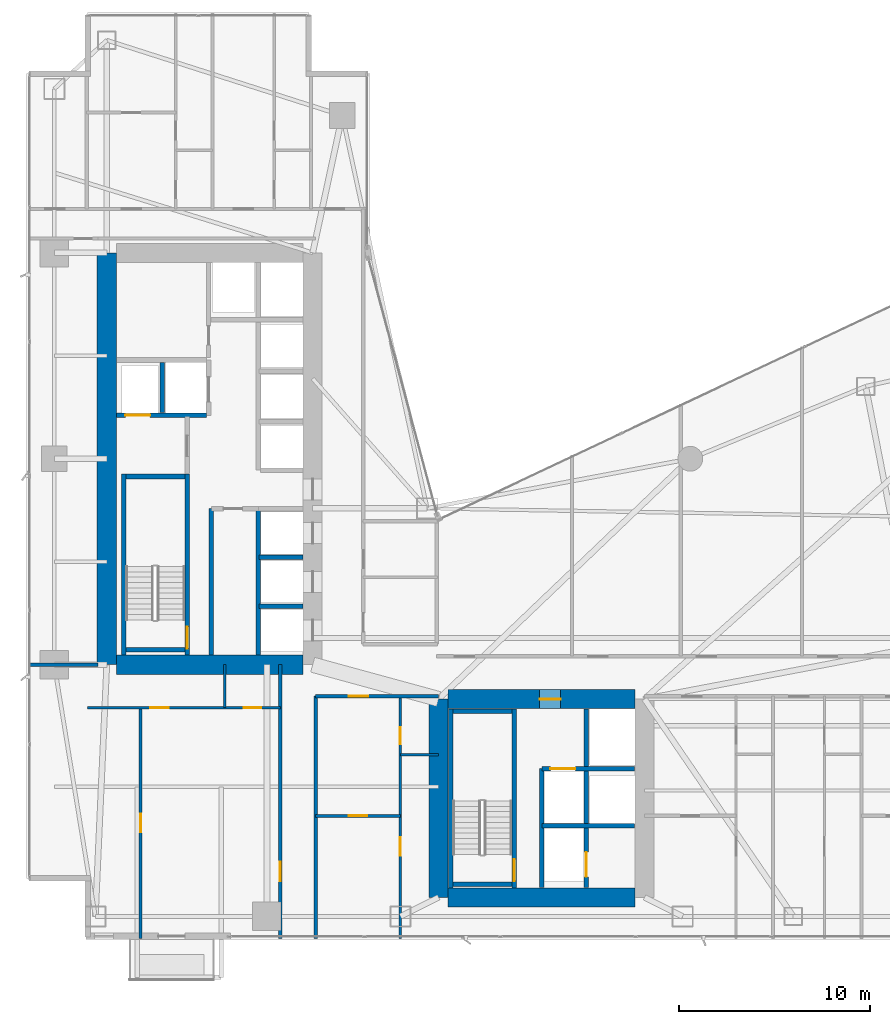
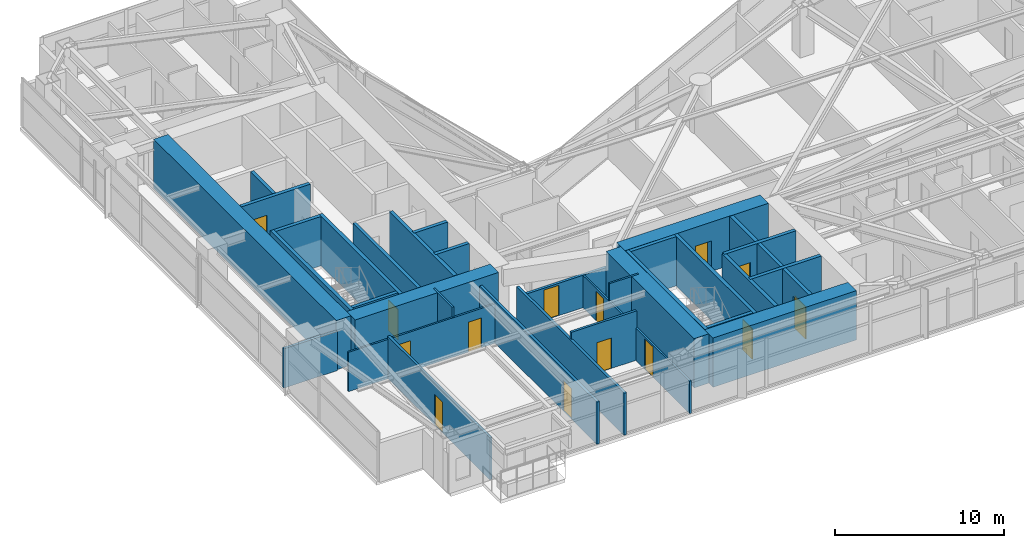
# One storey, part 22 of 30: 33 walls, 14 doors, 14 openings.
"""IFC4 building model written with IfcOpenShell, lengths in metres."""

from ifc_helpers import new_model, si_unit, direction, frame, frame_2d, origin, place, context, subcontext, project, spatial, rectangle, extrude, material, layer, layer_set, type_object, element, fill, save


model = new_model("IFC4")

# Units and contexts
model_context = context("Model", 3, precision=1e-05, world=origin(), true_north=direction((0.0, 1.0)))
body_context = subcontext(model_context, "Body", "Model", "MODEL_VIEW")
ifc_project = project(units=[si_unit("LENGTHUNIT", "METRE"), si_unit("AREAUNIT", "SQUARE_METRE"), si_unit("VOLUMEUNIT", "CUBIC_METRE"), si_unit("PLANEANGLEUNIT", "RADIAN"), si_unit("MASSUNIT", "GRAM", prefix="KILO")], contexts=[model_context])

# Site, building, storey
site_placement = place(None, origin())
site = spatial("IfcSite", under=ifc_project, at=site_placement, CompositionType="ELEMENT")
building_placement = place(site_placement, origin())
building = spatial("IfcBuilding", under=site, at=building_placement, Name="Calvorn Quay Hotel", CompositionType="ELEMENT")
storey_placement = place(building_placement, frame((0.0, 0.0, 54.60009765625)))
storey = spatial("IfcBuildingStorey", under=building, at=storey_placement, Name="L12", CompositionType="ELEMENT", Elevation=54.60009765625)

# Walls
ifc_material_1 = material(Name="Concrete C60", Category="concrete")
ifc_layer_1 = layer(ifc_material_1, 1.0)
ifc_layer_set_1 = layer_set([ifc_layer_1], Name="WL-CORE-1000")
wall_type_1 = type_object("IfcWallType", Name="WL-CORE-1000", PredefinedType="SHEAR", material=ifc_layer_set_1)
wall_1_placement = place(storey_placement, frame((4.199951171875, 16.800048828125, 0.0), z_axis=(0.0, 0.0, 1.0), x_axis=(0.0, 1.0, 0.0)))
element("IfcWall", 1, at=wall_1_placement, inside=storey, type_object=wall_type_1, Name="West Core Shear Wall W (L12)", PredefinedType="SHEAR", context=body_context, shape_type="SweptSolid", body=[
    extrude(rectangle(XDim=21.599853515625, YDim=1.0, at=frame_2d((10.7998046875, 0.0))), origin(), (0.0, 0.0, 1.0), 3.559814453125),
])
wall_2_placement = place(storey_placement, frame((4.699951171875, 16.800048828125, 0.0), z_axis=(0.0, 0.0, 1.0), x_axis=(1.0, 0.0, 0.0)))
element("IfcWall", 2, at=wall_2_placement, inside=storey, type_object=wall_type_1, Name="West Core Shear Wall S (L12)", PredefinedType="SHEAR", context=body_context, shape_type="SweptSolid", body=[
    extrude(rectangle(XDim=9.800048828125, YDim=1.0, at=frame_2d((4.89990234375, 0.0))), origin(), (0.0, 0.0, 1.0), 3.559814453125),
])
wall_3_placement = place(storey_placement, frame((21.60009765625, 4.60009765625, 0.0), z_axis=(0.0, 0.0, 1.0), x_axis=(0.0, 1.0, 0.0)))
element("IfcWall", 3, at=wall_3_placement, inside=storey, type_object=wall_type_1, Name="East Core Shear Wall W (L12)", PredefinedType="SHEAR", context=body_context, shape_type="SweptSolid", body=[
    extrude(rectangle(XDim=10.39990234375, YDim=1.0, at=frame_2d((5.199951171875, 0.0))), origin(), (0.0, 0.0, 1.0), 3.559814453125),
])

# Wall, opening, door
wall_4_placement = place(storey_placement, frame((22.10009765625, 15.0, 0.0), z_axis=(0.0, 0.0, 1.0), x_axis=(1.0, 0.0, 0.0)))
wall_4 = element("IfcWall", 4, at=wall_4_placement, inside=storey, type_object=wall_type_1, Name="East Core Shear Wall N (L12)", PredefinedType="SHEAR", context=body_context, shape_type="SweptSolid", body=[
    extrude(rectangle(XDim=9.7998046875, YDim=1.0, at=frame_2d((4.89990234375, 0.0))), origin(), (0.0, 0.0, 1.0), 3.559814453125),
])
opening_1_placement = place(wall_4_placement, frame((4.800048828125, 0.0, 0.0)))
opening_1 = element("IfcOpeningElement", 5, at=opening_1_placement, cuts=wall_4, Name="Opening D-L12-FLE", PredefinedType="OPENING", context=body_context, shape_type="SweptSolid", body=[
    extrude(rectangle(XDim=1.10009765625, YDim=2.199951171875, at=frame_2d((0.550048828125, 1.10009765625))), frame((0.0, 0.510009765625, 0.0), z_axis=(0.0, -1.0, 0.0), x_axis=(1.0, 0.0, 0.0)), (0.0, 0.0, 1.0), 1.02001953125),
])
ifc_material_2 = material(Name="Smoke-Sealed Steel Class A Fire Door", Category="steel")
door_type_1 = type_object("IfcDoorType", Name="DR-FFLOBBY-1100", OperationType="NOTDEFINED", PredefinedType="DOOR", material=ifc_material_2)
door_1_placement = place(opening_1_placement, origin())
door_1 = element("IfcDoor", 6, at=door_1_placement, inside=storey, type_object=door_type_1, Name="East Firefighting Lobby Fire Door (L12)", OperationType="SINGLE_SWING_RIGHT", OverallHeight=2.199951171875, OverallWidth=1.10009765625, PredefinedType="DOOR", context=body_context, shape_type="SweptSolid", body=[
    extrude(rectangle(XDim=1.10009765625, YDim=2.199951171875, at=frame_2d((0.550048828125, 1.10009765625))), frame((0.0, 0.02490234375, 0.0), z_axis=(0.0, -1.0, 0.0), x_axis=(1.0, 0.0, 0.0)), (0.0, 0.0, 1.0), 0.050048828125),
])
fill(opening_1, door_1)

# Walls
wall_5_placement = place(storey_placement, frame((22.10009765625, 4.60009765625, 0.0), z_axis=(0.0, 0.0, 1.0), x_axis=(1.0, 0.0, 0.0)))
element("IfcWall", 7, at=wall_5_placement, inside=storey, type_object=wall_type_1, Name="East Core Shear Wall S (L12)", PredefinedType="SHEAR", context=body_context, shape_type="SweptSolid", body=[
    extrude(rectangle(XDim=9.7998046875, YDim=1.0, at=frame_2d((4.89990234375, 0.0))), origin(), (0.0, 0.0, 1.0), 3.559814453125),
])
ifc_material_3 = material(Name="Acoustic Fireboard Steel-Stud Partition", Category="steel")
ifc_layer_2 = layer(ifc_material_3, 0.179931640625)
ifc_layer_set_2 = layer_set([ifc_layer_2], Name="WL-CORR-FIRE-180")
wall_type_2 = type_object("IfcWallType", Name="WL-CORR-FIRE-180", PredefinedType="PARTITIONING", material=ifc_layer_set_2)
wall_6_placement = place(storey_placement, frame((0.080078125, 16.800048828125, 0.0), z_axis=(0.0, 0.0, 1.0), x_axis=(1.0, 0.0, 0.0)))
element("IfcWall", 8, at=wall_6_placement, inside=storey, type_object=wall_type_2, Name="Partition Wall L12-WL-WBAY-S-WALL", PredefinedType="PARTITIONING", context=body_context, shape_type="SweptSolid", body=[
    extrude(rectangle(XDim=3.64990234375, YDim=0.179931640625, at=frame_2d((1.824951171875, 0.0))), origin(), (0.0, 0.0, 1.0), 2.83984375),
])

# Wall, opening, door
wall_7_placement = place(storey_placement, frame((13.300048828125, 2.43994140625, 0.0), z_axis=(0.0, 0.0, 1.0), x_axis=(0.0, 1.0, 0.0)))
wall_7 = element("IfcWall", 9, at=wall_7_placement, inside=storey, type_object=wall_type_2, Name="Partition Wall L12-WL-CORR-SW-LEG-W", PredefinedType="PARTITIONING", context=body_context, shape_type="SweptSolid", body=[
    extrude(rectangle(XDim=14.360107421875, YDim=0.179931640625, at=frame_2d((7.18017578125, 0.0))), origin(), (0.0, 0.0, 1.0), 3.039794921875),
])
opening_2_placement = place(wall_7_placement, frame((3.010009765625, 0.0, 0.0)))
opening_2 = element("IfcOpeningElement", 10, at=opening_2_placement, cuts=wall_7, Name="Opening D-L12-U01", PredefinedType="OPENING", context=body_context, shape_type="SweptSolid", body=[
    extrude(rectangle(XDim=1.02001953125, YDim=2.199951171875, at=frame_2d((0.510009765625, 1.10009765625))), frame((0.0, 0.099853515625, 0.0), z_axis=(0.0, -1.0, 0.0), x_axis=(1.0, 0.0, 0.0)), (0.0, 0.0, 1.0), 0.199951171875),
])
ifc_material_4 = material(Name="Solid-Core Walnut Veneer Hotel Fire Door")
door_type_2 = type_object("IfcDoorType", Name="DR-GUEST-ENTRY-1020", OperationType="NOTDEFINED", PredefinedType="DOOR", material=ifc_material_4)
door_2_placement = place(opening_2_placement, origin())
door_2 = element("IfcDoor", 11, at=door_2_placement, inside=storey, type_object=door_type_2, Name="South-West Unit Door U01 (L12)", OperationType="SINGLE_SWING_LEFT", OverallHeight=2.199951171875, OverallWidth=1.02001953125, PredefinedType="DOOR", context=body_context, shape_type="SweptSolid", body=[
    extrude(rectangle(XDim=1.02001953125, YDim=2.199951171875, at=frame_2d((0.510009765625, 1.10009765625))), frame((0.0, 0.02490234375, 0.0), z_axis=(0.0, -1.0, 0.0), x_axis=(1.0, 0.0, 0.0)), (0.0, 0.0, 1.0), 0.050048828125),
])
fill(opening_2, door_2)

# Wall
wall_8_placement = place(storey_placement, frame((15.14990234375, 2.43994140625, 0.0), z_axis=(0.0, 0.0, 1.0), x_axis=(0.0, 1.0, 0.0)))
element("IfcWall", 12, at=wall_8_placement, inside=storey, type_object=wall_type_2, Name="Partition Wall L12-WL-CORR-SW-W", PredefinedType="PARTITIONING", context=body_context, shape_type="SweptSolid", body=[
    extrude(rectangle(XDim=12.7099609375, YDim=0.179931640625, at=frame_2d((6.35498046875, 0.0))), origin(), (0.0, 0.0, 1.0), 3.039794921875),
])

# Wall, opening, door
wall_9_placement = place(storey_placement, frame((15.14990234375, 15.14990234375, 0.0), z_axis=(0.0, 0.0, 1.0), x_axis=(1.0, 0.0, 0.0)))
wall_9 = element("IfcWall", 13, at=wall_9_placement, inside=storey, type_object=wall_type_2, Name="Partition Wall L12-WL-SC-CORR-S", PredefinedType="PARTITIONING", context=body_context, shape_type="SweptSolid", body=[
    extrude(rectangle(XDim=6.4501953125, YDim=0.179931640625, at=frame_2d((3.22509765625, 0.0))), origin(), (0.0, 0.0, 1.0), 2.33984375),
])
opening_3_placement = place(wall_9_placement, frame((1.739990234375, 0.0, 0.0)))
opening_3 = element("IfcOpeningElement", 14, at=opening_3_placement, cuts=wall_9, Name="Opening D-L12-U02", PredefinedType="OPENING", context=body_context, shape_type="SweptSolid", body=[
    extrude(rectangle(XDim=1.02001953125, YDim=2.199951171875, at=frame_2d((0.510009765625, 1.10009765625))), frame((0.0, 0.099853515625, 0.0), z_axis=(0.0, -1.0, 0.0), x_axis=(1.0, 0.0, 0.0)), (0.0, 0.0, 1.0), 0.199951171875),
])
door_3_placement = place(opening_3_placement, origin())
door_3 = element("IfcDoor", 15, at=door_3_placement, inside=storey, type_object=door_type_2, Name="Harbour Central Unit Door (L12)", OperationType="SINGLE_SWING_LEFT", OverallHeight=2.199951171875, OverallWidth=1.02001953125, PredefinedType="DOOR", context=body_context, shape_type="SweptSolid", body=[
    extrude(rectangle(XDim=1.02001953125, YDim=2.199951171875, at=frame_2d((0.510009765625, 1.10009765625))), frame((0.0, 0.02490234375, 0.0), z_axis=(0.0, -1.0, 0.0), x_axis=(1.0, 0.0, 0.0)), (0.0, 0.0, 1.0), 0.050048828125),
])
fill(opening_3, door_3)

# Wall
ifc_material_5 = material(Name="Moisture-Resistant Tile-Backed Partition")
ifc_layer_3 = layer(ifc_material_5, 0.125)
ifc_layer_set_3 = layer_set([ifc_layer_3], Name="WL-ENSUITE-125")
wall_type_3 = type_object("IfcWallType", Name="WL-ENSUITE-125", PredefinedType="PARTITIONING", material=ifc_layer_set_3)
wall_10_placement = place(storey_placement, frame((10.3798828125, 14.550048828125, 0.0), z_axis=(0.0, 0.0, 1.0), x_axis=(0.0, 1.0, 0.0)))
element("IfcWall", 16, at=wall_10_placement, inside=storey, type_object=wall_type_3, Name="Partition Wall L12-WL-U01-BDV", PredefinedType="PARTITIONING", context=body_context, shape_type="SweptSolid", body=[
    extrude(rectangle(XDim=2.25, YDim=0.125, at=frame_2d((1.125, 0.0))), origin(), (0.0, 0.0, 1.0), 3.559814453125),
])

# Wall, openings, doors
wall_11_placement = place(storey_placement, frame((3.199951171875, 14.550048828125, 0.0), z_axis=(0.0, 0.0, 1.0), x_axis=(1.0, 0.0, 0.0)))
wall_11 = element("IfcWall", 17, at=wall_11_placement, inside=storey, type_object=wall_type_3, Name="Partition Wall L12-WL-U01-BH", PredefinedType="PARTITIONING", context=body_context, shape_type="SweptSolid", body=[
    extrude(rectangle(XDim=10.10009765625, YDim=0.125, at=frame_2d((5.050048828125, 0.0))), origin(), (0.0, 0.0, 1.0), 2.83984375),
])
opening_4_placement = place(wall_11_placement, frame((3.2900390625, 0.0, 0.0)))
opening_4 = element("IfcOpeningElement", 18, at=opening_4_placement, cuts=wall_11, Name="Opening D-L12-S01", PredefinedType="OPENING", context=body_context, shape_type="SweptSolid", body=[
    extrude(rectangle(XDim=0.9599609375, YDim=2.199951171875, at=frame_2d((0.47998046875, 1.10009765625))), frame((0.0, 0.072509765625, 0.0), z_axis=(0.0, -1.0, 0.0), x_axis=(1.0, 0.0, 0.0)), (0.0, 0.0, 1.0), 0.14501953125),
])
opening_5_placement = place(wall_11_placement, frame((8.18994140625, 0.0, 0.0)))
opening_5 = element("IfcOpeningElement", 19, at=opening_5_placement, cuts=wall_11, Name="Opening D-L12-E01", PredefinedType="OPENING", context=body_context, shape_type="SweptSolid", body=[
    extrude(rectangle(XDim=0.89990234375, YDim=2.14990234375, at=frame_2d((0.449951171875, 1.074951171875))), frame((0.0, 0.072509765625, 0.0), z_axis=(0.0, -1.0, 0.0), x_axis=(1.0, 0.0, 0.0)), (0.0, 0.0, 1.0), 0.14501953125),
])
ifc_material_6 = material(Name="Moisture-Sealed Timber En-Suite Door", Category="wood")
door_type_3 = type_object("IfcDoorType", Name="DR-ENSUITE-900", OperationType="NOTDEFINED", PredefinedType="DOOR", material=ifc_material_6)
door_4_placement = place(opening_5_placement, origin())
door_4 = element("IfcDoor", 20, at=door_4_placement, inside=storey, type_object=door_type_3, Name="En-Suite Door 01", OperationType="SINGLE_SWING_RIGHT", OverallHeight=2.14990234375, OverallWidth=0.89990234375, PredefinedType="DOOR", context=body_context, shape_type="SweptSolid", body=[
    extrude(rectangle(XDim=0.89990234375, YDim=2.14990234375, at=frame_2d((0.449951171875, 1.074951171875))), frame((0.0, 0.02490234375, 0.0), z_axis=(0.0, -1.0, 0.0), x_axis=(1.0, 0.0, 0.0)), (0.0, 0.0, 1.0), 0.050048828125),
])
fill(opening_5, door_4)
ifc_material_7 = material(Name="Solid Timber Internal Suite Door", Category="wood")
door_type_4 = type_object("IfcDoorType", Name="DR-SUITE-INT-960", OperationType="NOTDEFINED", PredefinedType="DOOR", material=ifc_material_7)
door_5_placement = place(opening_4_placement, origin())
door_5 = element("IfcDoor", 21, at=door_5_placement, inside=storey, type_object=door_type_4, Name="Executive Work Office Door 01", OperationType="SINGLE_SWING_LEFT", OverallHeight=2.199951171875, OverallWidth=0.9599609375, PredefinedType="DOOR", context=body_context, shape_type="SweptSolid", body=[
    extrude(rectangle(XDim=0.9599609375, YDim=2.199951171875, at=frame_2d((0.47998046875, 1.10009765625))), frame((0.0, 0.02490234375, 0.0), z_axis=(0.0, -1.0, 0.0), x_axis=(1.0, 0.0, 0.0)), (0.0, 0.0, 1.0), 0.050048828125),
])
fill(opening_4, door_5)

# Wall
wall_12_placement = place(storey_placement, frame((19.60009765625, 12.070068359375, 0.0), z_axis=(0.0, 0.0, 1.0), x_axis=(1.0, 0.0, 0.0)))
element("IfcWall", 22, at=wall_12_placement, inside=storey, type_object=wall_type_3, Name="Partition Wall L12-WL-U02-BDV", PredefinedType="PARTITIONING", context=body_context, shape_type="SweptSolid", body=[
    extrude(rectangle(XDim=2.0, YDim=0.125, at=frame_2d((1.0, 0.0))), origin(), (0.0, 0.0, 1.0), 3.559814453125),
])

# Wall, openings, doors
wall_13_placement = place(storey_placement, frame((19.60009765625, 2.43994140625, 0.0), z_axis=(0.0, 0.0, 1.0), x_axis=(0.0, 1.0, 0.0)))
wall_13 = element("IfcWall", 23, at=wall_13_placement, inside=storey, type_object=wall_type_3, Name="Partition Wall L12-WL-U02-BV", PredefinedType="PARTITIONING", context=body_context, shape_type="SweptSolid", body=[
    extrude(rectangle(XDim=12.7099609375, YDim=0.125, at=frame_2d((6.35498046875, 0.0))), origin(), (0.0, 0.0, 1.0), 2.33984375),
])
opening_6_placement = place(wall_13_placement, frame((4.340087890625, 0.0, 0.0)))
opening_6 = element("IfcOpeningElement", 24, at=opening_6_placement, cuts=wall_13, Name="Opening D-L12-S02", PredefinedType="OPENING", context=body_context, shape_type="SweptSolid", body=[
    extrude(rectangle(XDim=0.9599609375, YDim=2.199951171875, at=frame_2d((0.47998046875, 1.10009765625))), frame((0.0, 0.072509765625, 0.0), z_axis=(0.0, -1.0, 0.0), x_axis=(1.0, 0.0, 0.0)), (0.0, 0.0, 1.0), 0.14501953125),
])
opening_7_placement = place(wall_13_placement, frame((10.179931640625, 0.0, 0.0)))
opening_7 = element("IfcOpeningElement", 25, at=opening_7_placement, cuts=wall_13, Name="Opening D-L12-E02", PredefinedType="OPENING", context=body_context, shape_type="SweptSolid", body=[
    extrude(rectangle(XDim=0.89990234375, YDim=2.14990234375, at=frame_2d((0.449951171875, 1.074951171875))), frame((0.0, 0.072509765625, 0.0), z_axis=(0.0, -1.0, 0.0), x_axis=(1.0, 0.0, 0.0)), (0.0, 0.0, 1.0), 0.14501953125),
])
door_6_placement = place(opening_7_placement, origin())
door_6 = element("IfcDoor", 26, at=door_6_placement, inside=storey, type_object=door_type_3, Name="En-Suite Door 02", OperationType="SINGLE_SWING_RIGHT", OverallHeight=2.14990234375, OverallWidth=0.89990234375, PredefinedType="DOOR", context=body_context, shape_type="SweptSolid", body=[
    extrude(rectangle(XDim=0.89990234375, YDim=2.14990234375, at=frame_2d((0.449951171875, 1.074951171875))), frame((0.0, 0.02490234375, 0.0), z_axis=(0.0, -1.0, 0.0), x_axis=(1.0, 0.0, 0.0)), (0.0, 0.0, 1.0), 0.050048828125),
])
fill(opening_7, door_6)
door_7_placement = place(opening_6_placement, origin())
door_7 = element("IfcDoor", 27, at=door_7_placement, inside=storey, type_object=door_type_4, Name="Executive Work Office Door 02", OperationType="SINGLE_SWING_LEFT", OverallHeight=2.199951171875, OverallWidth=0.9599609375, PredefinedType="DOOR", context=body_context, shape_type="SweptSolid", body=[
    extrude(rectangle(XDim=0.9599609375, YDim=2.199951171875, at=frame_2d((0.47998046875, 1.10009765625))), frame((0.0, 0.02490234375, 0.0), z_axis=(0.0, -1.0, 0.0), x_axis=(1.0, 0.0, 0.0)), (0.0, 0.0, 1.0), 0.050048828125),
])
fill(opening_6, door_7)

# Wall, opening, door
ifc_material_8 = material(Name="Double-Stud Acoustic Gypsum Partition")
ifc_layer_4 = layer(ifc_material_8, 0.159912109375)
ifc_layer_set_4 = layer_set([ifc_layer_4], Name="WL-INTERSUITE-160")
wall_type_4 = type_object("IfcWallType", Name="WL-INTERSUITE-160", PredefinedType="PARTITIONING", material=ifc_layer_set_4)
wall_14_placement = place(storey_placement, frame((5.97998046875, 2.43994140625, 0.0), z_axis=(0.0, 0.0, 1.0), x_axis=(0.0, 1.0, 0.0)))
wall_14 = element("IfcWall", 28, at=wall_14_placement, inside=storey, type_object=wall_type_4, Name="Partition Wall L12-WL-U01-MSP", PredefinedType="PARTITIONING", context=body_context, shape_type="SweptSolid", body=[
    extrude(rectangle(XDim=12.110107421875, YDim=0.159912109375, at=frame_2d((6.05517578125, 0.0))), origin(), (0.0, 0.0, 1.0), 3.039794921875),
])
opening_8_placement = place(wall_14_placement, frame((5.580078125, 0.0, 0.0)))
opening_8 = element("IfcOpeningElement", 29, at=opening_8_placement, cuts=wall_14, Name="Opening D-L12-M01", PredefinedType="OPENING", context=body_context, shape_type="SweptSolid", body=[
    extrude(rectangle(XDim=0.9599609375, YDim=2.199951171875, at=frame_2d((0.47998046875, 1.10009765625))), frame((0.0, 0.08984375, 0.0), z_axis=(0.0, -1.0, 0.0), x_axis=(1.0, 0.0, 0.0)), (0.0, 0.0, 1.0), 0.179931640625),
])
door_8_placement = place(opening_8_placement, origin())
door_8 = element("IfcDoor", 30, at=door_8_placement, inside=storey, type_object=door_type_4, Name="Suite Bedroom Door 01", OperationType="SINGLE_SWING_LEFT", OverallHeight=2.199951171875, OverallWidth=0.9599609375, PredefinedType="DOOR", context=body_context, shape_type="SweptSolid", body=[
    extrude(rectangle(XDim=0.9599609375, YDim=2.199951171875, at=frame_2d((0.47998046875, 1.10009765625))), frame((0.0, 0.02490234375, 0.0), z_axis=(0.0, -1.0, 0.0), x_axis=(1.0, 0.0, 0.0)), (0.0, 0.0, 1.0), 0.050048828125),
])
fill(opening_8, door_8)

wall_15_placement = place(storey_placement, frame((15.14990234375, 8.8701171875, 0.0), z_axis=(0.0, 0.0, 1.0), x_axis=(1.0, 0.0, 0.0)))
wall_15 = element("IfcWall", 31, at=wall_15_placement, inside=storey, type_object=wall_type_4, Name="Partition Wall L12-WL-U02-MSP", PredefinedType="PARTITIONING", context=body_context, shape_type="SweptSolid", body=[
    extrude(rectangle(XDim=4.4501953125, YDim=0.159912109375, at=frame_2d((2.22509765625, 0.0))), origin(), (0.0, 0.0, 1.0), 3.559814453125),
])
opening_9_placement = place(wall_15_placement, frame((1.75, 0.0, 0.0)))
opening_9 = element("IfcOpeningElement", 32, at=opening_9_placement, cuts=wall_15, Name="Opening D-L12-M02", PredefinedType="OPENING", context=body_context, shape_type="SweptSolid", body=[
    extrude(rectangle(XDim=0.9599609375, YDim=2.199951171875, at=frame_2d((0.47998046875, 1.10009765625))), frame((0.0, 0.08984375, 0.0), z_axis=(0.0, -1.0, 0.0), x_axis=(1.0, 0.0, 0.0)), (0.0, 0.0, 1.0), 0.179931640625),
])
door_9_placement = place(opening_9_placement, origin())
door_9 = element("IfcDoor", 33, at=door_9_placement, inside=storey, type_object=door_type_4, Name="Suite Bedroom Door 02", OperationType="SINGLE_SWING_LEFT", OverallHeight=2.199951171875, OverallWidth=0.9599609375, PredefinedType="DOOR", context=body_context, shape_type="SweptSolid", body=[
    extrude(rectangle(XDim=0.9599609375, YDim=2.199951171875, at=frame_2d((0.47998046875, 1.10009765625))), frame((0.0, 0.02490234375, 0.0), z_axis=(0.0, -1.0, 0.0), x_axis=(1.0, 0.0, 0.0)), (0.0, 0.0, 1.0), 0.050048828125),
])
fill(opening_9, door_9)

# Walls
ifc_material_9 = material(Name="Autoclaved Aerated Masonry Block", Category="masonry")
ifc_layer_5 = layer(ifc_material_9, 0.219970703125)
ifc_layer_set_5 = layer_set([ifc_layer_5], Name="WL-LOBBY-FIRE-220")
wall_type_5 = type_object("IfcWallType", Name="WL-LOBBY-FIRE-220", PredefinedType="SOLIDWALL", material=ifc_layer_set_5)
wall_16_placement = place(storey_placement, frame((9.679931640625, 17.320068359375, 0.0), z_axis=(0.0, 0.0, 1.0), x_axis=(0.0, 1.0, 0.0)))
element("IfcWall", 34, at=wall_16_placement, inside=storey, type_object=wall_type_5, Name="Partition Wall L12-WL-CWW-STW-HALL-E", PredefinedType="SOLIDWALL", context=body_context, shape_type="SweptSolid", body=[
    extrude(rectangle(XDim=7.679931640625, YDim=0.219970703125, at=frame_2d((3.83984375, 0.0))), origin(), (0.0, 0.0, 1.0), 3.559814453125),
])
ifc_material_10 = material(Name="Concrete C40", Category="concrete")
ifc_layer_6 = layer(ifc_material_10, 0.239990234375)
ifc_layer_set_6 = layer_set([ifc_layer_6], Name="WL-SHAFT-240")
wall_type_6 = type_object("IfcWallType", Name="WL-SHAFT-240", PredefinedType="SOLIDWALL", material=ifc_layer_set_6)
wall_17_placement = place(storey_placement, frame((5.080078125, 17.300048828125, 0.0), z_axis=(0.0, 0.0, 1.0), x_axis=(0.0, 1.0, 0.0)))
element("IfcWall", 35, at=wall_17_placement, inside=storey, type_object=wall_type_6, Name="Stair STW Shaft Wall W (L12)", PredefinedType="SOLIDWALL", context=body_context, shape_type="SweptSolid", body=[
    extrude(rectangle(XDim=9.489990234375, YDim=0.239990234375, at=frame_2d((4.7451171875, 0.0))), origin(), (0.0, 0.0, 1.0), 3.559814453125),
])

# Wall, opening, door
wall_18_placement = place(storey_placement, frame((8.419921875, 17.300048828125, 0.0), z_axis=(0.0, 0.0, 1.0), x_axis=(0.0, 1.0, 0.0)))
wall_18 = element("IfcWall", 36, at=wall_18_placement, inside=storey, type_object=wall_type_6, Name="Stair STW Shaft Wall E (L12)", PredefinedType="SOLIDWALL", context=body_context, shape_type="SweptSolid", body=[
    extrude(rectangle(XDim=9.489990234375, YDim=0.239990234375, at=frame_2d((4.7451171875, 0.0))), origin(), (0.0, 0.0, 1.0), 3.559814453125),
])
opening_10_placement = place(wall_18_placement, frame((0.35009765625, 0.0, 0.0)))
opening_10 = element("IfcOpeningElement", 37, at=opening_10_placement, cuts=wall_18, Name="Opening D-L12-STW", PredefinedType="OPENING", context=body_context, shape_type="SweptSolid", body=[
    extrude(rectangle(XDim=1.14990234375, YDim=2.199951171875, at=frame_2d((0.574951171875, 1.10009765625))), frame((0.0, 0.1298828125, 0.0), z_axis=(0.0, -1.0, 0.0), x_axis=(1.0, 0.0, 0.0)), (0.0, 0.0, 1.0), 0.260009765625),
])
ifc_material_11 = material(Name="Galvanised Steel Class A Fire Door", Category="steel")
door_type_5 = type_object("IfcDoorType", Name="DR-STAIR-SMOKE-1150", OperationType="NOTDEFINED", PredefinedType="DOOR", material=ifc_material_11)
door_10_placement = place(opening_10_placement, origin())
door_10 = element("IfcDoor", 38, at=door_10_placement, inside=storey, type_object=door_type_5, Name="Stair ST-W Fire Door (L12)", OperationType="SINGLE_SWING_LEFT", OverallHeight=2.199951171875, OverallWidth=1.14990234375, PredefinedType="DOOR", context=body_context, shape_type="SweptSolid", body=[
    extrude(rectangle(XDim=1.14990234375, YDim=2.199951171875, at=frame_2d((0.574951171875, 1.10009765625))), frame((0.0, 0.02490234375, 0.0), z_axis=(0.0, -1.0, 0.0), x_axis=(1.0, 0.0, 0.0)), (0.0, 0.0, 1.0), 0.050048828125),
])
fill(opening_10, door_10)

# Walls
for number, where, z_axis, x_axis, name in (
    (39, (5.199951171875, 17.580078125, 0.0), (0.0, 0.0, 1.0), (1.0, 0.0, 0.0), "Stair STW Shaft Wall S (L12)"),
    (40, (5.199951171875, 26.669921875, 0.0), (0.0, 0.0, 1.0), (1.0, 0.0, 0.0), "Stair STW Shaft Wall N (L12)"),
):
    element("IfcWall", number, at=place(storey_placement, frame(where, z_axis=z_axis, x_axis=x_axis)), inside=storey, type_object=wall_type_6, Name=name, PredefinedType="SOLIDWALL", context=body_context, shape_type="SweptSolid", body=[
        extrude(rectangle(XDim=3.10009765625, YDim=0.239990234375, at=frame_2d((1.550048828125, 0.0))), origin(), (0.0, 0.0, 1.0), 3.559814453125),
    ])
wall_19_placement = place(storey_placement, frame((22.22998046875, 5.10009765625, 0.0), z_axis=(0.0, 0.0, 1.0), x_axis=(0.0, 1.0, 0.0)))
element("IfcWall", 41, at=wall_19_placement, inside=storey, type_object=wall_type_6, Name="Stair STE Shaft Wall W (L12)", PredefinedType="SOLIDWALL", context=body_context, shape_type="SweptSolid", body=[
    extrude(rectangle(XDim=9.389892578125, YDim=0.239990234375, at=frame_2d((4.69482421875, 0.0))), origin(), (0.0, 0.0, 1.0), 3.559814453125),
])

# Wall, opening, door
wall_20_placement = place(storey_placement, frame((25.570068359375, 5.10009765625, 0.0), z_axis=(0.0, 0.0, 1.0), x_axis=(0.0, 1.0, 0.0)))
wall_20 = element("IfcWall", 42, at=wall_20_placement, inside=storey, type_object=wall_type_6, Name="Stair STE Shaft Wall E (L12)", PredefinedType="SOLIDWALL", context=body_context, shape_type="SweptSolid", body=[
    extrude(rectangle(XDim=9.389892578125, YDim=0.239990234375, at=frame_2d((4.69482421875, 0.0))), origin(), (0.0, 0.0, 1.0), 3.559814453125),
])
opening_11_placement = place(wall_20_placement, frame((0.35009765625, 0.0, 0.0)))
opening_11 = element("IfcOpeningElement", 43, at=opening_11_placement, cuts=wall_20, Name="Opening D-L12-STE", PredefinedType="OPENING", context=body_context, shape_type="SweptSolid", body=[
    extrude(rectangle(XDim=1.14990234375, YDim=2.199951171875, at=frame_2d((0.574951171875, 1.10009765625))), frame((0.0, 0.1298828125, 0.0), z_axis=(0.0, -1.0, 0.0), x_axis=(1.0, 0.0, 0.0)), (0.0, 0.0, 1.0), 0.260009765625),
])
door_11_placement = place(opening_11_placement, origin())
door_11 = element("IfcDoor", 44, at=door_11_placement, inside=storey, type_object=door_type_5, Name="Stair ST-E Fire Door (L12)", OperationType="SINGLE_SWING_RIGHT", OverallHeight=2.199951171875, OverallWidth=1.14990234375, PredefinedType="DOOR", context=body_context, shape_type="SweptSolid", body=[
    extrude(rectangle(XDim=1.14990234375, YDim=2.199951171875, at=frame_2d((0.574951171875, 1.10009765625))), frame((0.0, 0.02490234375, 0.0), z_axis=(0.0, -1.0, 0.0), x_axis=(1.0, 0.0, 0.0)), (0.0, 0.0, 1.0), 0.050048828125),
])
fill(opening_11, door_11)

# Walls
for number, where, z_axis, x_axis, name in (
    (45, (22.35009765625, 5.280029296875, 0.0), (0.0, 0.0, 1.0), (1.0, 0.0, 0.0), "Stair STE Shaft Wall S (L12)"),
    (46, (22.35009765625, 14.3701171875, 0.0), (0.0, 0.0, 1.0), (1.0, 0.0, 0.0), "Stair STE Shaft Wall N (L12)"),
):
    element("IfcWall", number, at=place(storey_placement, frame(where, z_axis=z_axis, x_axis=x_axis)), inside=storey, type_object=wall_type_6, Name=name, PredefinedType="SOLIDWALL", context=body_context, shape_type="SweptSolid", body=[
        extrude(rectangle(XDim=3.099853515625, YDim=0.239990234375, at=frame_2d((1.5498046875, 0.0))), origin(), (0.0, 0.0, 1.0), 3.559814453125),
    ])
for number, where, z_axis, x_axis, name in (
    (47, (12.179931640625, 19.875, 0.0), (0.0, 0.0, 1.0), (1.0, 0.0, 0.0), "Lift Hoistway Divider Wall PLL12 (L12)"),
    (48, (12.179931640625, 22.425048828125, 0.0), (0.0, 0.0, 1.0), (1.0, 0.0, 0.0), "Lift Hoistway Divider Wall PLL23 (L12)"),
):
    element("IfcWall", number, at=place(storey_placement, frame(where, z_axis=z_axis, x_axis=x_axis)), inside=storey, type_object=wall_type_6, Name=name, PredefinedType="SOLIDWALL", context=body_context, shape_type="SweptSolid", body=[
        extrude(rectangle(XDim=2.320068359375, YDim=0.239990234375, at=frame_2d((1.16015625, 0.0))), origin(), (0.0, 0.0, 1.0), 3.559814453125),
    ])

# Wall, opening, door
wall_21_placement = place(storey_placement, frame((4.719970703125, 29.8798828125, 0.0), z_axis=(0.0, 0.0, 1.0), x_axis=(1.0, 0.0, 0.0)))
wall_21 = element("IfcWall", 49, at=wall_21_placement, inside=storey, type_object=wall_type_6, Name="Partition Wall L12-WL-CWW-FLW-S", PredefinedType="SOLIDWALL", context=body_context, shape_type="SweptSolid", body=[
    extrude(rectangle(XDim=4.699951171875, YDim=0.239990234375, at=frame_2d((2.35009765625, 0.0))), origin(), (0.0, 0.0, 1.0), 3.559814453125),
])
opening_12_placement = place(wall_21_placement, frame((0.449951171875, 0.0, 0.0)))
opening_12 = element("IfcOpeningElement", 50, at=opening_12_placement, cuts=wall_21, Name="Opening LD-L12-FLW1", PredefinedType="OPENING", context=body_context, shape_type="SweptSolid", body=[
    extrude(rectangle(XDim=1.300048828125, YDim=2.35009765625, at=frame_2d((0.64990234375, 1.175048828125))), frame((0.0, 0.1298828125, 0.0), z_axis=(0.0, -1.0, 0.0), x_axis=(1.0, 0.0, 0.0)), (0.0, 0.0, 1.0), 0.260009765625),
])
ifc_material_12 = material(Name="Champagne-Bronze Sliding Express Lift Landing Door")
door_type_6 = type_object("IfcDoorType", Name="DR-LIFT-SHUTTLE-1300", OperationType="NOTDEFINED", PredefinedType="DOOR", material=ifc_material_12)
door_12_placement = place(opening_12_placement, origin())
door_12 = element("IfcDoor", 51, at=door_12_placement, inside=storey, type_object=door_type_6, Name="Firefighting Lift FL-W1 Landing Door (L12)", OperationType="DOUBLE_DOOR_SLIDING", OverallHeight=2.35009765625, OverallWidth=1.300048828125, PredefinedType="DOOR", context=body_context, shape_type="SweptSolid", body=[
    extrude(rectangle(XDim=1.300048828125, YDim=2.35009765625, at=frame_2d((0.64990234375, 1.175048828125))), frame((0.0, 0.02490234375, 0.0), z_axis=(0.0, -1.0, 0.0), x_axis=(1.0, 0.0, 0.0)), (0.0, 0.0, 1.0), 0.050048828125),
])
fill(opening_12, door_12)

# Walls
wall_22_placement = place(storey_placement, frame((7.10009765625, 30.02001953125, 0.0), z_axis=(0.0, 0.0, 1.0), x_axis=(0.0, 1.0, 0.0)))
element("IfcWall", 52, at=wall_22_placement, inside=storey, type_object=wall_type_6, Name="Partition Wall L12-WL-CWW-FLW-DIV", PredefinedType="SOLIDWALL", context=body_context, shape_type="SweptSolid", body=[
    extrude(rectangle(XDim=2.6298828125, YDim=0.239990234375, at=frame_2d((1.31494140625, 0.0))), origin(), (0.0, 0.0, 1.0), 3.559814453125),
])
wall_23_placement = place(storey_placement, frame((12.14990234375, 17.320068359375, 0.0), z_axis=(0.0, 0.0, 1.0), x_axis=(0.0, 1.0, 0.0)))
element("IfcWall", 53, at=wall_23_placement, inside=storey, type_object=wall_type_6, Name="Partition Wall L12-WL-CWW-PLL-W", PredefinedType="SOLIDWALL", context=body_context, shape_type="SweptSolid", body=[
    extrude(rectangle(XDim=7.64990234375, YDim=0.239990234375, at=frame_2d((3.824951171875, 0.0))), origin(), (0.0, 0.0, 1.0), 3.559814453125),
])
wall_24_placement = place(storey_placement, frame((27.02001953125, 5.1201171875, 0.0), z_axis=(0.0, 0.0, 1.0), x_axis=(0.0, 1.0, 0.0)))
element("IfcWall", 54, at=wall_24_placement, inside=storey, type_object=wall_type_6, Name="Partition Wall L12-WL-CWE-SH-W", PredefinedType="SOLIDWALL", context=body_context, shape_type="SweptSolid", body=[
    extrude(rectangle(XDim=6.22998046875, YDim=0.239990234375, at=frame_2d((3.114990234375, 0.0))), origin(), (0.0, 0.0, 1.0), 3.559814453125),
])

# Wall, opening, door
wall_25_placement = place(storey_placement, frame((27.02001953125, 11.35009765625, 0.0), z_axis=(0.0, 0.0, 1.0), x_axis=(1.0, 0.0, 0.0)))
wall_25 = element("IfcWall", 55, at=wall_25_placement, inside=storey, type_object=wall_type_6, Name="Partition Wall L12-WL-CWE-FFL-S", PredefinedType="SOLIDWALL", context=body_context, shape_type="SweptSolid", body=[
    extrude(rectangle(XDim=4.85986328125, YDim=0.239990234375, at=frame_2d((2.429931640625, 0.0))), origin(), (0.0, 0.0, 1.0), 3.559814453125),
])
opening_13_placement = place(wall_25_placement, frame((0.449951171875, 0.0, 0.0)))
opening_13 = element("IfcOpeningElement", 56, at=opening_13_placement, cuts=wall_25, Name="Opening LD-L12-FLE1", PredefinedType="OPENING", context=body_context, shape_type="SweptSolid", body=[
    extrude(rectangle(XDim=1.300048828125, YDim=2.35009765625, at=frame_2d((0.64990234375, 1.175048828125))), frame((0.0, 0.1298828125, 0.0), z_axis=(0.0, -1.0, 0.0), x_axis=(1.0, 0.0, 0.0)), (0.0, 0.0, 1.0), 0.260009765625),
])
door_13_placement = place(opening_13_placement, origin())
door_13 = element("IfcDoor", 57, at=door_13_placement, inside=storey, type_object=door_type_6, Name="Firefighting Lift FL-E1 Landing Door (L12)", OperationType="DOUBLE_DOOR_SLIDING", OverallHeight=2.35009765625, OverallWidth=1.300048828125, PredefinedType="DOOR", context=body_context, shape_type="SweptSolid", body=[
    extrude(rectangle(XDim=1.300048828125, YDim=2.35009765625, at=frame_2d((0.64990234375, 1.175048828125))), frame((0.0, 0.02490234375, 0.0), z_axis=(0.0, -1.0, 0.0), x_axis=(1.0, 0.0, 0.0)), (0.0, 0.0, 1.0), 0.050048828125),
])
fill(opening_13, door_13)

# Wall
wall_26_placement = place(storey_placement, frame((27.02001953125, 8.35009765625, 0.0), z_axis=(0.0, 0.0, 1.0), x_axis=(1.0, 0.0, 0.0)))
element("IfcWall", 58, at=wall_26_placement, inside=storey, type_object=wall_type_6, Name="Partition Wall L12-WL-CWE-SL-N", PredefinedType="SOLIDWALL", context=body_context, shape_type="SweptSolid", body=[
    extrude(rectangle(XDim=4.85986328125, YDim=0.239990234375, at=frame_2d((2.429931640625, 0.0))), origin(), (0.0, 0.0, 1.0), 3.559814453125),
])

# Wall, opening, door
wall_27_placement = place(storey_placement, frame((29.35009765625, 5.1201171875, 0.0), z_axis=(0.0, 0.0, 1.0), x_axis=(0.0, 1.0, 0.0)))
wall_27 = element("IfcWall", 59, at=wall_27_placement, inside=storey, type_object=wall_type_6, Name="Partition Wall L12-WL-CWE-OB-W", PredefinedType="SOLIDWALL", context=body_context, shape_type="SweptSolid", body=[
    extrude(rectangle(XDim=9.35986328125, YDim=0.239990234375, at=frame_2d((4.679931640625, 0.0))), origin(), (0.0, 0.0, 1.0), 3.559814453125),
])
opening_14_placement = place(wall_27_placement, frame((0.550048828125, 0.0, 0.0)))
opening_14 = element("IfcOpeningElement", 60, at=opening_14_placement, cuts=wall_27, Name="Opening LD-L12-SLEI", PredefinedType="OPENING", context=body_context, shape_type="SweptSolid", body=[
    extrude(rectangle(XDim=1.300048828125, YDim=2.35009765625, at=frame_2d((0.64990234375, 1.175048828125))), frame((0.0, 0.1298828125, 0.0), z_axis=(0.0, -1.0, 0.0), x_axis=(1.0, 0.0, 0.0)), (0.0, 0.0, 1.0), 0.260009765625),
])
door_14_placement = place(opening_14_placement, origin())
door_14 = element("IfcDoor", 61, at=door_14_placement, inside=storey, type_object=door_type_6, Name="Service Lift SL-E1 Landing Door (L12)", OperationType="DOUBLE_DOOR_SLIDING", OverallHeight=2.35009765625, OverallWidth=1.300048828125, PredefinedType="DOOR", context=body_context, shape_type="SweptSolid", body=[
    extrude(rectangle(XDim=1.300048828125, YDim=2.35009765625, at=frame_2d((0.64990234375, 1.175048828125))), frame((0.0, 0.02490234375, 0.0), z_axis=(0.0, -1.0, 0.0), x_axis=(1.0, 0.0, 0.0)), (0.0, 0.0, 1.0), 0.050048828125),
])
fill(opening_14, door_14)

save(model, "model.ifc")
